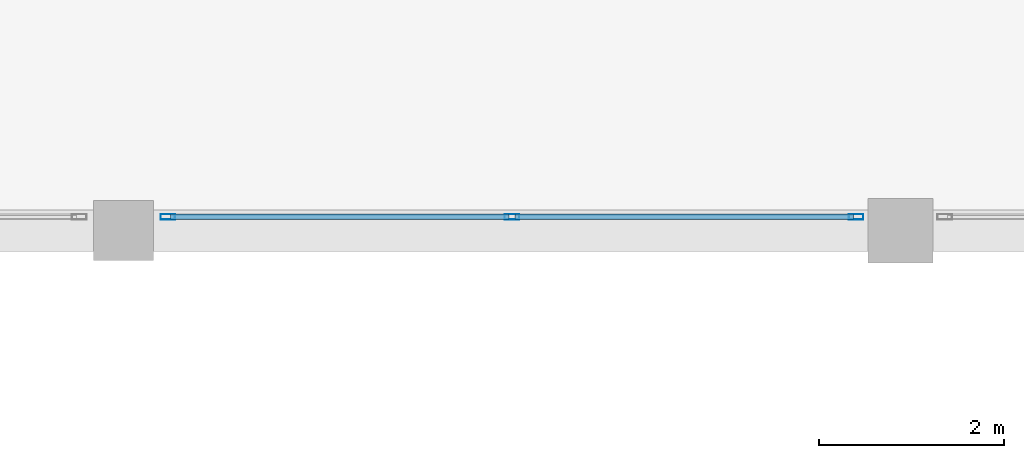
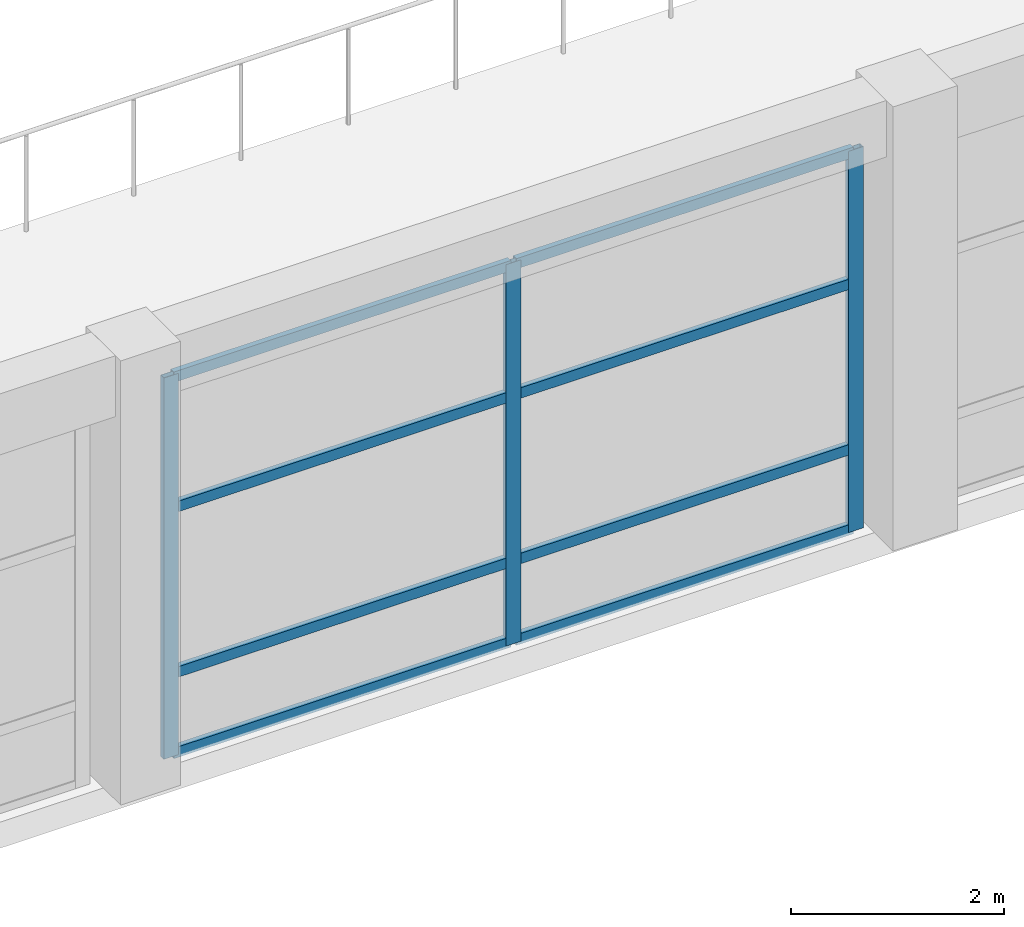
# One storey, part 25 of 96: 11 members, 1 element without a shape of its own.
"""IFC4 building model written with IfcOpenShell, lengths in metres."""

from ifc_helpers import new_model, si_unit, direction, frame, origin, origin_2d, place, context, subcontext, project, spatial, hollow_rectangle, extrude, material, material_profile, profile_set, type_object, element, aggregate, save


model = new_model("IFC4")

# Units and contexts
model_context = context("Model", 3, precision=1e-05, world=origin(), true_north=direction((0.0, 1.0)))
body_context = subcontext(model_context, "Body", "Model", "MODEL_VIEW")
ifc_project = project(units=[si_unit("LENGTHUNIT", "METRE"), si_unit("AREAUNIT", "SQUARE_METRE"), si_unit("VOLUMEUNIT", "CUBIC_METRE"), si_unit("PLANEANGLEUNIT", "RADIAN"), si_unit("MASSUNIT", "GRAM", prefix="KILO")], contexts=[model_context])

# Site, building, storey
site_placement = place(None, origin())
site = spatial("IfcSite", under=ifc_project, at=site_placement, CompositionType="ELEMENT")
building_placement = place(site_placement, origin())
building = spatial("IfcBuilding", under=site, at=building_placement, Name="Almacenes y Pasaje Nevantli", CompositionType="ELEMENT")
storey_placement = place(building_placement, frame((0.0, 0.0, 6.0)))
storey = spatial("IfcBuildingStorey", under=building, at=storey_placement, Name="L02", CompositionType="ELEMENT", Elevation=6.0)

# Curtain wall, members
ifc_material_1 = material(Name="Thermally Broken Aluminium and Low-E Glass", Category="aluminium")
curtain_wall_type = type_object("IfcCurtainWallType", Name="CW-STF-ARCADE", PredefinedType="USERDEFINED", material=ifc_material_1)
curtain_wall_placement = place(storey_placement, origin())
curtain_wall = element("IfcCurtainWall", 1, at=curtain_wall_placement, inside=storey, type_object=curtain_wall_type, Name="L02 South Arcade Portal Curtain Wall Bay 10", ObjectType="STOREFRONT GLAZING", PredefinedType="USERDEFINED")
ifc_material_2 = material(Name="Thermally Broken Anodized Aluminium", Category="aluminium")
ifc_material_profile_1 = material_profile(ifc_material_2, hollow_rectangle(XDim=0.06005859375, YDim=0.159912109375, WallThickness=0.00390625, at=origin_2d()), Name="ALU-MUL-60x160")
ifc_profile_set_1 = profile_set([ifc_material_profile_1], Name="Thermally Broken Anodized Aluminium")
member_type_1 = type_object("IfcMemberType", Name="CW-MUL-180", PredefinedType="MULLION", material=ifc_profile_set_1)
member_1_placement = place(storey_placement, frame((76.080078125, 0.14990234375, 0.0), z_axis=(0.0, 0.0, 1.0), x_axis=(0.0, 1.0, 0.0)))
member_1 = element("IfcMember", 2, at=member_1_placement, type_object=member_type_1, Name="CW-L02-013 mullion 1", PredefinedType="MULLION", context=body_context, shape_type="SweptSolid", body=[
    extrude(hollow_rectangle(XDim=0.06005859375, YDim=0.159912109375, WallThickness=0.00390625, at=origin_2d()), origin(), (0.0, 0.0, 1.0), 4.3798828125),
])
member_2_placement = place(storey_placement, frame((79.800048828125, 0.14990234375, 0.0), z_axis=(0.0, 0.0, 1.0), x_axis=(0.0, 1.0, 0.0)))
member_2 = element("IfcMember", 3, at=member_2_placement, type_object=member_type_1, Name="CW-L02-013 mullion 2", PredefinedType="MULLION", context=body_context, shape_type="SweptSolid", body=[
    extrude(hollow_rectangle(XDim=0.06005859375, YDim=0.159912109375, WallThickness=0.00390625, at=origin_2d()), origin(), (0.0, 0.0, 1.0), 4.3798828125),
])
member_3_placement = place(storey_placement, frame((83.52001953125, 0.14990234375, 0.0), z_axis=(0.0, 0.0, 1.0), x_axis=(0.0, 1.0, 0.0)))
member_3 = element("IfcMember", 4, at=member_3_placement, type_object=member_type_1, Name="CW-L02-013 mullion 3", PredefinedType="MULLION", context=body_context, shape_type="SweptSolid", body=[
    extrude(hollow_rectangle(XDim=0.06005859375, YDim=0.159912109375, WallThickness=0.00390625, at=origin_2d()), origin(), (0.0, 0.0, 1.0), 4.3798828125),
])
ifc_material_3 = material(Name="Thermally Broken Anodized Aluminium", Category="aluminium")
ifc_material_profile_2 = material_profile(ifc_material_3, hollow_rectangle(XDim=0.06005859375, YDim=0.1201171875, WallThickness=0.00341796875, at=origin_2d()), Name="ALU-TRN-60x120")
ifc_profile_set_2 = profile_set([ifc_material_profile_2], Name="Thermally Broken Anodized Aluminium")
member_type_2 = type_object("IfcMemberType", Name="CW-TRN-130", PredefinedType="USERDEFINED", material=ifc_profile_set_2)
member_4_placement = place(storey_placement, frame((76.110107421875, 0.14990234375, 0.030029296875), z_axis=(1.0, 0.0, 0.0), x_axis=(0.0, 1.0, 0.0)))
member_4 = element("IfcMember", 5, at=member_4_placement, type_object=member_type_2, Name="CW-L02-013 transom 1.1", ObjectType="TRANSOM", PredefinedType="USERDEFINED", context=body_context, shape_type="SweptSolid", body=[
    extrude(hollow_rectangle(XDim=0.06005859375, YDim=0.1201171875, WallThickness=0.00341796875, at=origin_2d()), origin(), (0.0, 0.0, 1.0), 3.659912109375),
])
member_5_placement = place(storey_placement, frame((76.110107421875, 0.14990234375, 0.949951171875), z_axis=(1.0, 0.0, 0.0), x_axis=(0.0, 1.0, 0.0)))
member_5 = element("IfcMember", 6, at=member_5_placement, type_object=member_type_2, Name="CW-L02-013 transom 1.2", ObjectType="TRANSOM", PredefinedType="USERDEFINED", context=body_context, shape_type="SweptSolid", body=[
    extrude(hollow_rectangle(XDim=0.06005859375, YDim=0.1201171875, WallThickness=0.00341796875, at=origin_2d()), origin(), (0.0, 0.0, 1.0), 3.659912109375),
])
member_6_placement = place(storey_placement, frame((76.110107421875, 0.14990234375, 2.85009765625), z_axis=(1.0, 0.0, 0.0), x_axis=(0.0, 1.0, 0.0)))
member_6 = element("IfcMember", 7, at=member_6_placement, type_object=member_type_2, Name="CW-L02-013 transom 1.3", ObjectType="TRANSOM", PredefinedType="USERDEFINED", context=body_context, shape_type="SweptSolid", body=[
    extrude(hollow_rectangle(XDim=0.06005859375, YDim=0.1201171875, WallThickness=0.00341796875, at=origin_2d()), origin(), (0.0, 0.0, 1.0), 3.659912109375),
])
member_7_placement = place(storey_placement, frame((76.110107421875, 0.14990234375, 4.35009765625), z_axis=(1.0, 0.0, 0.0), x_axis=(0.0, 1.0, 0.0)))
member_7 = element("IfcMember", 8, at=member_7_placement, type_object=member_type_2, Name="CW-L02-013 transom 1.4", ObjectType="TRANSOM", PredefinedType="USERDEFINED", context=body_context, shape_type="SweptSolid", body=[
    extrude(hollow_rectangle(XDim=0.06005859375, YDim=0.1201171875, WallThickness=0.00341796875, at=origin_2d()), origin(), (0.0, 0.0, 1.0), 3.659912109375),
])
member_8_placement = place(storey_placement, frame((79.830078125, 0.14990234375, 0.030029296875), z_axis=(1.0, 0.0, 0.0), x_axis=(0.0, 1.0, 0.0)))
member_8 = element("IfcMember", 9, at=member_8_placement, type_object=member_type_2, Name="CW-L02-013 transom 2.1", ObjectType="TRANSOM", PredefinedType="USERDEFINED", context=body_context, shape_type="SweptSolid", body=[
    extrude(hollow_rectangle(XDim=0.06005859375, YDim=0.1201171875, WallThickness=0.00341796875, at=origin_2d()), origin(), (0.0, 0.0, 1.0), 3.659912109375),
])
member_9_placement = place(storey_placement, frame((79.830078125, 0.14990234375, 0.949951171875), z_axis=(1.0, 0.0, 0.0), x_axis=(0.0, 1.0, 0.0)))
member_9 = element("IfcMember", 10, at=member_9_placement, type_object=member_type_2, Name="CW-L02-013 transom 2.2", ObjectType="TRANSOM", PredefinedType="USERDEFINED", context=body_context, shape_type="SweptSolid", body=[
    extrude(hollow_rectangle(XDim=0.06005859375, YDim=0.1201171875, WallThickness=0.00341796875, at=origin_2d()), origin(), (0.0, 0.0, 1.0), 3.659912109375),
])
member_10_placement = place(storey_placement, frame((79.830078125, 0.14990234375, 2.85009765625), z_axis=(1.0, 0.0, 0.0), x_axis=(0.0, 1.0, 0.0)))
member_10 = element("IfcMember", 11, at=member_10_placement, type_object=member_type_2, Name="CW-L02-013 transom 2.3", ObjectType="TRANSOM", PredefinedType="USERDEFINED", context=body_context, shape_type="SweptSolid", body=[
    extrude(hollow_rectangle(XDim=0.06005859375, YDim=0.1201171875, WallThickness=0.00341796875, at=origin_2d()), origin(), (0.0, 0.0, 1.0), 3.659912109375),
])
member_11_placement = place(storey_placement, frame((79.830078125, 0.14990234375, 4.35009765625), z_axis=(1.0, 0.0, 0.0), x_axis=(0.0, 1.0, 0.0)))
member_11 = element("IfcMember", 12, at=member_11_placement, type_object=member_type_2, Name="CW-L02-013 transom 2.4", ObjectType="TRANSOM", PredefinedType="USERDEFINED", context=body_context, shape_type="SweptSolid", body=[
    extrude(hollow_rectangle(XDim=0.06005859375, YDim=0.1201171875, WallThickness=0.00341796875, at=origin_2d()), origin(), (0.0, 0.0, 1.0), 3.659912109375),
])
aggregate(curtain_wall, [member_1, member_2, member_3, member_4, member_5, member_6, member_7, member_8, member_9, member_10, member_11])

save(model, "model.ifc")
